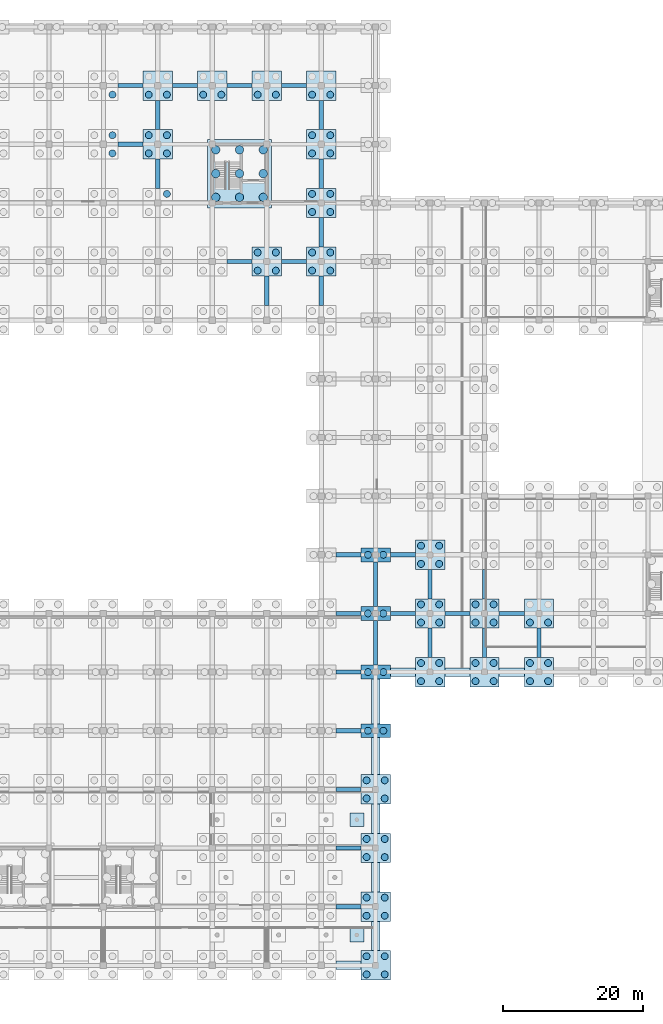
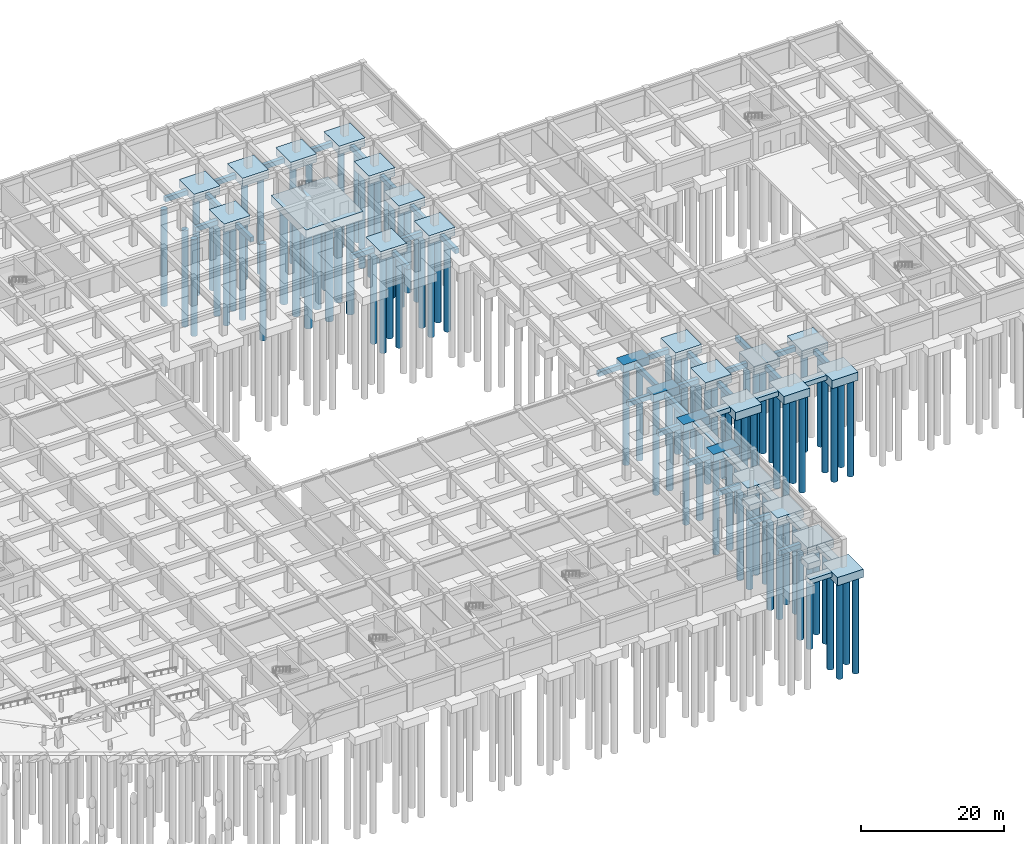
# One storey, part 8 of 31: 91 piles, 68 footings.
"""IFC4 building model written with IfcOpenShell, lengths in metres."""

from ifc_helpers import new_model, si_unit, direction, frame, origin, origin_2d, place, context, subcontext, project, spatial, rectangle, circle, extrude, material, material_profile, profile_set, type_object, element, save


model = new_model("IFC4")

# Units and contexts
model_context = context("Model", 3, precision=1e-05, world=origin(), true_north=direction((0.0, 1.0)))
body_context = subcontext(model_context, "Body", "Model", "MODEL_VIEW")
ifc_project = project(units=[si_unit("LENGTHUNIT", "METRE"), si_unit("AREAUNIT", "SQUARE_METRE"), si_unit("VOLUMEUNIT", "CUBIC_METRE"), si_unit("PLANEANGLEUNIT", "RADIAN"), si_unit("MASSUNIT", "GRAM", prefix="KILO")], contexts=[model_context])

# Site, building, storey
site_placement = place(None, origin())
site = spatial("IfcSite", under=ifc_project, at=site_placement, CompositionType="ELEMENT")
building_placement = place(site_placement, origin())
building = spatial("IfcBuilding", under=site, at=building_placement, Name="Zizhar Promenade General Hospital", CompositionType="ELEMENT")
storey_placement = place(building_placement, frame((0.0, 0.0, -4.800048828125)))
storey = spatial("IfcBuildingStorey", under=building, at=storey_placement, Name="B1", CompositionType="ELEMENT", Elevation=-4.800048828125)

# Footings
ifc_material_1 = material(Name="Concrete C30/37", Category="concrete")
footing_type_1 = type_object("IfcFootingType", Name="FTG-CAP2-4000", PredefinedType="PILE_CAP", material=ifc_material_1)
for number, where, z_axis, x_axis, name in (
    (1, (132.60009765625, 33.60009765625, -1.39990234375), (0.0, 0.0, 1.0), (1.0, 0.0, 0.0), "Pile Cap 18-E"),
    (2, (132.60009765625, 42.0, -1.39990234375), (0.0, 0.0, 1.0), (1.0, 0.0, 0.0), "Pile Cap 18-F"),
    (3, (132.60009765625, 50.39990234375, -1.39990234375), (0.0, 0.0, 1.0), (1.0, 0.0, 0.0), "Pile Cap 18-G"),
    (4, (132.60009765625, 58.800048828125, -1.39990234375), (0.0, 0.0, 1.0), (1.0, 0.0, 0.0), "Pile Cap 18-H"),
):
    element("IfcFooting", number, at=place(storey_placement, frame(where, z_axis=z_axis, x_axis=x_axis)), inside=storey, type_object=footing_type_1, Name=name, PredefinedType="PILE_CAP", context=body_context, shape_type="SweptSolid", body=[
        extrude(rectangle(XDim=4.199951171875, YDim=2.0, at=origin_2d()), origin(), (0.0, 0.0, 1.0), 1.39990234375),
    ])
ifc_material_2 = material(Name="Concrete C30/37", Category="concrete")
footing_type_2 = type_object("IfcFootingType", Name="FTG-CAP4-4200", PredefinedType="PILE_CAP", material=ifc_material_2)
for number, where, z_axis, x_axis, name in (
    (5, (101.39990234375, 117.60009765625, -1.39990234375), (0.0, 0.0, 1.0), (1.0, 0.0, 0.0), "Pile Cap 14-Q"),
    (6, (101.39990234375, 126.0, -1.39990234375), (0.0, 0.0, 1.0), (1.0, 0.0, 0.0), "Pile Cap 14-R"),
    (7, (109.199951171875, 126.0, -1.39990234375), (0.0, 0.0, 1.0), (1.0, 0.0, 0.0), "Pile Cap 15-R"),
    (8, (117.0, 100.800048828125, -1.39990234375), (0.0, 0.0, 1.0), (1.0, 0.0, 0.0), "Pile Cap 16-N"),
    (9, (117.0, 126.0, -1.39990234375), (0.0, 0.0, 1.0), (1.0, 0.0, 0.0), "Pile Cap 16-R"),
    (10, (124.800048828125, 100.800048828125, -1.39990234375), (0.0, 0.0, 1.0), (1.0, 0.0, 0.0), "Pile Cap 17-N"),
    (11, (124.800048828125, 109.199951171875, -1.39990234375), (0.0, 0.0, 1.0), (1.0, 0.0, 0.0), "Pile Cap 17-P"),
    (12, (124.800048828125, 117.60009765625, -1.39990234375), (0.0, 0.0, 1.0), (1.0, 0.0, 0.0), "Pile Cap 17-Q"),
    (13, (124.800048828125, 126.0, -1.39990234375), (0.0, 0.0, 1.0), (1.0, 0.0, 0.0), "Pile Cap 17-R"),
    (14, (132.60009765625, 0.0, -1.39990234375), (0.0, 0.0, 1.0), (1.0, 0.0, 0.0), "Pile Cap 18-A"),
    (15, (132.60009765625, 8.39990234375, -1.39990234375), (0.0, 0.0, 1.0), (1.0, 0.0, 0.0), "Pile Cap 18-B"),
    (16, (132.60009765625, 16.800048828125, -1.39990234375), (0.0, 0.0, 1.0), (1.0, 0.0, 0.0), "Pile Cap 18-C"),
    (17, (132.60009765625, 25.199951171875, -1.39990234375), (0.0, 0.0, 1.0), (1.0, 0.0, 0.0), "Pile Cap 18-D"),
    (18, (140.39990234375, 42.0, -1.39990234375), (0.0, 0.0, 1.0), (1.0, 0.0, 0.0), "Pile Cap 19-F"),
    (19, (140.39990234375, 50.39990234375, -1.39990234375), (0.0, 0.0, 1.0), (1.0, 0.0, 0.0), "Pile Cap 19-G"),
    (20, (140.39990234375, 58.800048828125, -1.39990234375), (0.0, 0.0, 1.0), (1.0, 0.0, 0.0), "Pile Cap 19-H"),
    (21, (148.199951171875, 42.0, -1.39990234375), (0.0, 0.0, 1.0), (1.0, 0.0, 0.0), "Pile Cap 20-F"),
    (22, (148.199951171875, 50.39990234375, -1.39990234375), (0.0, 0.0, 1.0), (1.0, 0.0, 0.0), "Pile Cap 20-G"),
    (23, (156.0, 42.0, -1.39990234375), (0.0, 0.0, 1.0), (1.0, 0.0, 0.0), "Pile Cap 21-F"),
    (24, (156.0, 50.39990234375, -1.39990234375), (0.0, 0.0, 1.0), (1.0, 0.0, 0.0), "Pile Cap 21-G"),
):
    element("IfcFooting", number, at=place(storey_placement, frame(where, z_axis=z_axis, x_axis=x_axis)), inside=storey, type_object=footing_type_2, Name=name, PredefinedType="PILE_CAP", context=body_context, shape_type="SweptSolid", body=[
        extrude(rectangle(XDim=4.199951171875, YDim=4.199951171875, at=origin_2d()), origin(), (0.0, 0.0, 1.0), 1.39990234375),
    ])
ifc_material_3 = material(Name="Concrete C30/37", Category="concrete")
footing_type_3 = type_object("IfcFootingType", Name="FTG-CORECAP-9200", PredefinedType="PILE_CAP", material=ifc_material_3)
footing_1_placement = place(storey_placement, frame((113.10009765625, 113.39990234375, -1.39990234375), z_axis=(0.0, 0.0, 1.0), x_axis=(1.0, 0.0, 0.0)))
element("IfcFooting", 25, at=footing_1_placement, inside=storey, type_object=footing_type_3, Name="Core C7 Pile Cap", PredefinedType="PILE_CAP", context=body_context, shape_type="SweptSolid", body=[
    extrude(rectangle(XDim=9.199951171875, YDim=9.800048828125, at=origin_2d()), origin(), (0.0, 0.0, 1.0), 1.39990234375),
])
ifc_material_4 = material(Name="Concrete C30/37", Category="concrete")
footing_type_4 = type_object("IfcFootingType", Name="FTG-PAD-2000", PredefinedType="PAD_FOOTING", material=ifc_material_4)
for number, where, z_axis, x_axis, name in (
    (26, (129.89990234375, 4.35009765625, -1.39990234375), (0.0, 0.0, 1.0), (1.0, 0.0, 0.0), "Terrace Support Pad Footing L06-E0"),
    (27, (129.89990234375, 20.85009765625, -1.39990234375), (0.0, 0.0, 1.0), (1.0, 0.0, 0.0), "Terrace Support Pad Footing L06-E1"),
):
    element("IfcFooting", number, at=place(storey_placement, frame(where, z_axis=z_axis, x_axis=x_axis)), inside=storey, type_object=footing_type_4, Name=name, PredefinedType="PAD_FOOTING", context=body_context, shape_type="SweptSolid", body=[
        extrude(rectangle(XDim=2.0, YDim=2.0, at=origin_2d()), origin(), (0.0, 0.0, 1.0), 1.0),
    ])
ifc_material_5 = material(Name="Concrete C30/37", Category="concrete")
ifc_material_profile_1 = material_profile(ifc_material_5, rectangle(XDim=1.199951171875, YDim=0.800048828125, at=origin_2d()))
ifc_profile_set_1 = profile_set([ifc_material_profile_1], Name="Concrete C30/37")
footing_type_5 = type_object("IfcFootingType", Name="FTG-STRIP-1200", PredefinedType="STRIP_FOOTING", material=ifc_profile_set_1)
footing_2_placement = place(storey_placement, frame((126.89990234375, 0.0, -0.39990234375), z_axis=(1.0, 0.0, 0.0), x_axis=(0.0, 1.0, 0.0)))
element("IfcFooting", 28, at=footing_2_placement, inside=storey, type_object=footing_type_5, Name="Basement Wall Strip Footing B01 (17)", PredefinedType="STRIP_FOOTING", context=body_context, shape_type="SweptSolid", body=[
    extrude(rectangle(XDim=1.199951171875, YDim=0.800048828125, at=origin_2d()), origin(), (0.0, 0.0, 1.0), 3.60009765625),
])
for number, where, z_axis, x_axis, name in (
    (29, (132.60009765625, 2.10009765625, -0.39990234375), (0.0, 1.0, 0.0), (-1.0, 0.0, 0.0), "Basement Wall Strip Footing B02"),
    (30, (132.60009765625, 10.5, -0.39990234375), (0.0, 1.0, 0.0), (-1.0, 0.0, 0.0), "Basement Wall Strip Footing B02 (2)"),
):
    element("IfcFooting", number, at=place(storey_placement, frame(where, z_axis=z_axis, x_axis=x_axis)), inside=storey, type_object=footing_type_5, Name=name, PredefinedType="STRIP_FOOTING", context=body_context, shape_type="SweptSolid", body=[
        extrude(rectangle(XDim=1.199951171875, YDim=0.800048828125, at=origin_2d()), origin(), (0.0, 0.0, 1.0), 4.199951171875),
    ])
footing_3_placement = place(storey_placement, frame((132.60009765625, 18.89990234375, -0.39990234375), z_axis=(0.0, 1.0, 0.0), x_axis=(-1.0, 0.0, 0.0)))
element("IfcFooting", 31, at=footing_3_placement, inside=storey, type_object=footing_type_5, Name="Basement Wall Strip Footing B02 (3)", PredefinedType="STRIP_FOOTING", context=body_context, shape_type="SweptSolid", body=[
    extrude(rectangle(XDim=1.199951171875, YDim=0.800048828125, at=origin_2d()), origin(), (0.0, 0.0, 1.0), 4.2001953125),
])
footing_4_placement = place(storey_placement, frame((132.60009765625, 27.300048828125, -0.39990234375), z_axis=(0.0, 1.0, 0.0), x_axis=(-1.0, 0.0, 0.0)))
element("IfcFooting", 32, at=footing_4_placement, inside=storey, type_object=footing_type_5, Name="Basement Wall Strip Footing B02 (4)", PredefinedType="STRIP_FOOTING", context=body_context, shape_type="SweptSolid", body=[
    extrude(rectangle(XDim=1.199951171875, YDim=0.800048828125, at=origin_2d()), origin(), (0.0, 0.0, 1.0), 5.300048828125),
])
footing_5_placement = place(storey_placement, frame((132.60009765625, 34.60009765625, -0.39990234375), z_axis=(0.0, 1.0, 0.0), x_axis=(-1.0, 0.0, 0.0)))
element("IfcFooting", 33, at=footing_5_placement, inside=storey, type_object=footing_type_5, Name="Basement Wall Strip Footing B02 (5)", PredefinedType="STRIP_FOOTING", context=body_context, shape_type="SweptSolid", body=[
    extrude(rectangle(XDim=1.199951171875, YDim=0.800048828125, at=origin_2d()), origin(), (0.0, 0.0, 1.0), 6.39990234375),
])
for number, where, z_axis, x_axis, name in (
    (34, (134.699951171875, 42.0, -0.39990234375), (1.0, 0.0, 0.0), (0.0, 1.0, 0.0), "Basement Wall Strip Footing B03"),
    (35, (142.5, 42.0, -0.39990234375), (1.0, 0.0, 0.0), (0.0, 1.0, 0.0), "Basement Wall Strip Footing B03 (2)"),
):
    element("IfcFooting", number, at=place(storey_placement, frame(where, z_axis=z_axis, x_axis=x_axis)), inside=storey, type_object=footing_type_5, Name=name, PredefinedType="STRIP_FOOTING", context=body_context, shape_type="SweptSolid", body=[
        extrude(rectangle(XDim=1.199951171875, YDim=0.800048828125, at=origin_2d()), origin(), (0.0, 0.0, 1.0), 3.60009765625),
    ])
footing_6_placement = place(storey_placement, frame((150.300048828125, 42.0, -0.39990234375), z_axis=(1.0, 0.0, 0.0), x_axis=(0.0, 1.0, 0.0)))
element("IfcFooting", 36, at=footing_6_placement, inside=storey, type_object=footing_type_5, Name="Basement Wall Strip Footing B03 (3)", PredefinedType="STRIP_FOOTING", context=body_context, shape_type="SweptSolid", body=[
    extrude(rectangle(XDim=1.199951171875, YDim=0.800048828125, at=origin_2d()), origin(), (0.0, 0.0, 1.0), 3.599853515625),
])
ifc_material_6 = material(Name="Concrete C30/37", Category="concrete")
ifc_material_profile_2 = material_profile(ifc_material_6, rectangle(XDim=0.60009765625, YDim=0.800048828125, at=origin_2d()))
ifc_profile_set_2 = profile_set([ifc_material_profile_2], Name="Concrete C30/37")
footing_type_6 = type_object("IfcFootingType", Name="FTG-TIE-600x800", PredefinedType="FOOTING_BEAM", material=ifc_profile_set_2)
for number, where, z_axis, x_axis, name in (
    (37, (95.699951171875, 117.60009765625, -0.800048828125), (1.0, 0.0, 0.0), (0.0, 1.0, 0.0), "Seismic Ground Tie Beam X-12-14"),
    (38, (95.699951171875, 126.0, -0.800048828125), (1.0, 0.0, 0.0), (0.0, 1.0, 0.0), "Seismic Ground Tie Beam X-12-15"),
):
    element("IfcFooting", number, at=place(storey_placement, frame(where, z_axis=z_axis, x_axis=x_axis)), inside=storey, type_object=footing_type_6, Name=name, PredefinedType="FOOTING_BEAM", context=body_context, shape_type="SweptSolid", body=[
        extrude(rectangle(XDim=0.60009765625, YDim=0.800048828125, at=origin_2d()), origin(), (0.0, 0.0, 1.0), 3.60009765625),
    ])
for number, where, z_axis, x_axis, name in (
    (39, (101.39990234375, 111.300048828125, -0.800048828125), (0.0, 1.0, 0.0), (-1.0, 0.0, 0.0), "Seismic Ground Tie Beam Y-13-13"),
    (40, (101.39990234375, 119.699951171875, -0.800048828125), (0.0, 1.0, 0.0), (-1.0, 0.0, 0.0), "Seismic Ground Tie Beam Y-13-14"),
):
    element("IfcFooting", number, at=place(storey_placement, frame(where, z_axis=z_axis, x_axis=x_axis)), inside=storey, type_object=footing_type_6, Name=name, PredefinedType="FOOTING_BEAM", context=body_context, shape_type="SweptSolid", body=[
        extrude(rectangle(XDim=0.60009765625, YDim=0.800048828125, at=origin_2d()), origin(), (0.0, 0.0, 1.0), 4.199951171875),
    ])
footing_7_placement = place(storey_placement, frame((103.5, 126.0, -0.800048828125), z_axis=(1.0, 0.0, 0.0), x_axis=(0.0, 1.0, 0.0)))
element("IfcFooting", 41, at=footing_7_placement, inside=storey, type_object=footing_type_6, Name="Seismic Ground Tie Beam X-13-15", PredefinedType="FOOTING_BEAM", context=body_context, shape_type="SweptSolid", body=[
    extrude(rectangle(XDim=0.60009765625, YDim=0.800048828125, at=origin_2d()), origin(), (0.0, 0.0, 1.0), 3.60009765625),
])
for number, where, z_axis, x_axis, name in (
    (42, (111.300048828125, 100.800048828125, -0.800048828125), (1.0, 0.0, 0.0), (0.0, 1.0, 0.0), "Seismic Ground Tie Beam X-14-12"),
    (43, (111.300048828125, 126.0, -0.800048828125), (1.0, 0.0, 0.0), (0.0, 1.0, 0.0), "Seismic Ground Tie Beam X-14-15"),
):
    element("IfcFooting", number, at=place(storey_placement, frame(where, z_axis=z_axis, x_axis=x_axis)), inside=storey, type_object=footing_type_6, Name=name, PredefinedType="FOOTING_BEAM", context=body_context, shape_type="SweptSolid", body=[
        extrude(rectangle(XDim=0.60009765625, YDim=0.800048828125, at=origin_2d()), origin(), (0.0, 0.0, 1.0), 3.599853515625),
    ])
footing_8_placement = place(storey_placement, frame((117.0, 94.5, -0.800048828125), z_axis=(0.0, 1.0, 0.0), x_axis=(-1.0, 0.0, 0.0)))
element("IfcFooting", 44, at=footing_8_placement, inside=storey, type_object=footing_type_6, Name="Seismic Ground Tie Beam Y-15-11", PredefinedType="FOOTING_BEAM", context=body_context, shape_type="SweptSolid", body=[
    extrude(rectangle(XDim=0.60009765625, YDim=0.800048828125, at=origin_2d()), origin(), (0.0, 0.0, 1.0), 4.199951171875),
])
for number, where, z_axis, x_axis, name in (
    (45, (119.10009765625, 100.800048828125, -0.800048828125), (1.0, 0.0, 0.0), (0.0, 1.0, 0.0), "Seismic Ground Tie Beam X-15-12"),
    (46, (119.10009765625, 126.0, -0.800048828125), (1.0, 0.0, 0.0), (0.0, 1.0, 0.0), "Seismic Ground Tie Beam X-15-15"),
):
    element("IfcFooting", number, at=place(storey_placement, frame(where, z_axis=z_axis, x_axis=x_axis)), inside=storey, type_object=footing_type_6, Name=name, PredefinedType="FOOTING_BEAM", context=body_context, shape_type="SweptSolid", body=[
        extrude(rectangle(XDim=0.60009765625, YDim=0.800048828125, at=origin_2d()), origin(), (0.0, 0.0, 1.0), 3.599853515625),
    ])
for number, where, z_axis, x_axis, name in (
    (47, (126.89990234375, 8.39990234375, -0.800048828125), (1.0, 0.0, 0.0), (0.0, 1.0, 0.0), "Seismic Ground Tie Beam X-16-1"),
    (48, (126.89990234375, 16.800048828125, -0.800048828125), (1.0, 0.0, 0.0), (0.0, 1.0, 0.0), "Seismic Ground Tie Beam X-16-2"),
    (49, (126.89990234375, 25.199951171875, -0.800048828125), (1.0, 0.0, 0.0), (0.0, 1.0, 0.0), "Seismic Ground Tie Beam X-16-3"),
    (50, (126.89990234375, 33.60009765625, -0.800048828125), (1.0, 0.0, 0.0), (0.0, 1.0, 0.0), "Seismic Ground Tie Beam X-16-4"),
    (51, (126.89990234375, 42.0, -0.800048828125), (1.0, 0.0, 0.0), (0.0, 1.0, 0.0), "Seismic Ground Tie Beam X-16-5"),
    (52, (126.89990234375, 50.39990234375, -0.800048828125), (1.0, 0.0, 0.0), (0.0, 1.0, 0.0), "Seismic Ground Tie Beam X-16-6"),
    (53, (126.89990234375, 58.800048828125, -0.800048828125), (1.0, 0.0, 0.0), (0.0, 1.0, 0.0), "Seismic Ground Tie Beam X-16-7"),
):
    element("IfcFooting", number, at=place(storey_placement, frame(where, z_axis=z_axis, x_axis=x_axis)), inside=storey, type_object=footing_type_6, Name=name, PredefinedType="FOOTING_BEAM", context=body_context, shape_type="SweptSolid", body=[
        extrude(rectangle(XDim=0.60009765625, YDim=0.800048828125, at=origin_2d()), origin(), (0.0, 0.0, 1.0), 3.60009765625),
    ])
footing_9_placement = place(storey_placement, frame((124.800048828125, 94.5, -0.800048828125), z_axis=(0.0, 1.0, 0.0), x_axis=(-1.0, 0.0, 0.0)))
element("IfcFooting", 54, at=footing_9_placement, inside=storey, type_object=footing_type_6, Name="Seismic Ground Tie Beam Y-16-11", PredefinedType="FOOTING_BEAM", context=body_context, shape_type="SweptSolid", body=[
    extrude(rectangle(XDim=0.60009765625, YDim=0.800048828125, at=origin_2d()), origin(), (0.0, 0.0, 1.0), 4.199951171875),
])
footing_10_placement = place(storey_placement, frame((124.800048828125, 102.89990234375, -0.800048828125), z_axis=(0.0, 1.0, 0.0), x_axis=(-1.0, 0.0, 0.0)))
element("IfcFooting", 55, at=footing_10_placement, inside=storey, type_object=footing_type_6, Name="Seismic Ground Tie Beam Y-16-12", PredefinedType="FOOTING_BEAM", context=body_context, shape_type="SweptSolid", body=[
    extrude(rectangle(XDim=0.60009765625, YDim=0.800048828125, at=origin_2d()), origin(), (0.0, 0.0, 1.0), 4.2001953125),
])
for number, where, z_axis, x_axis, name in (
    (56, (124.800048828125, 111.300048828125, -0.800048828125), (0.0, 1.0, 0.0), (-1.0, 0.0, 0.0), "Seismic Ground Tie Beam Y-16-13"),
    (57, (124.800048828125, 119.699951171875, -0.800048828125), (0.0, 1.0, 0.0), (-1.0, 0.0, 0.0), "Seismic Ground Tie Beam Y-16-14"),
):
    element("IfcFooting", number, at=place(storey_placement, frame(where, z_axis=z_axis, x_axis=x_axis)), inside=storey, type_object=footing_type_6, Name=name, PredefinedType="FOOTING_BEAM", context=body_context, shape_type="SweptSolid", body=[
        extrude(rectangle(XDim=0.60009765625, YDim=0.800048828125, at=origin_2d()), origin(), (0.0, 0.0, 1.0), 4.199951171875),
    ])
footing_11_placement = place(storey_placement, frame((132.60009765625, 43.0, -0.800048828125), z_axis=(0.0, 1.0, 0.0), x_axis=(-1.0, 0.0, 0.0)))
element("IfcFooting", 58, at=footing_11_placement, inside=storey, type_object=footing_type_6, Name="Seismic Ground Tie Beam Y-17-5", PredefinedType="FOOTING_BEAM", context=body_context, shape_type="SweptSolid", body=[
    extrude(rectangle(XDim=0.60009765625, YDim=0.800048828125, at=origin_2d()), origin(), (0.0, 0.0, 1.0), 6.39990234375),
])
footing_12_placement = place(storey_placement, frame((134.699951171875, 50.39990234375, -0.800048828125), z_axis=(1.0, 0.0, 0.0), x_axis=(0.0, 1.0, 0.0)))
element("IfcFooting", 59, at=footing_12_placement, inside=storey, type_object=footing_type_6, Name="Seismic Ground Tie Beam X-17-6", PredefinedType="FOOTING_BEAM", context=body_context, shape_type="SweptSolid", body=[
    extrude(rectangle(XDim=0.60009765625, YDim=0.800048828125, at=origin_2d()), origin(), (0.0, 0.0, 1.0), 3.60009765625),
])
footing_13_placement = place(storey_placement, frame((132.60009765625, 51.39990234375, -0.800048828125), z_axis=(0.0, 1.0, 0.0), x_axis=(-1.0, 0.0, 0.0)))
element("IfcFooting", 60, at=footing_13_placement, inside=storey, type_object=footing_type_6, Name="Seismic Ground Tie Beam Y-17-6", PredefinedType="FOOTING_BEAM", context=body_context, shape_type="SweptSolid", body=[
    extrude(rectangle(XDim=0.60009765625, YDim=0.800048828125, at=origin_2d()), origin(), (0.0, 0.0, 1.0), 6.400146484375),
])
footing_14_placement = place(storey_placement, frame((134.699951171875, 58.800048828125, -0.800048828125), z_axis=(1.0, 0.0, 0.0), x_axis=(0.0, 1.0, 0.0)))
element("IfcFooting", 61, at=footing_14_placement, inside=storey, type_object=footing_type_6, Name="Seismic Ground Tie Beam X-17-7", PredefinedType="FOOTING_BEAM", context=body_context, shape_type="SweptSolid", body=[
    extrude(rectangle(XDim=0.60009765625, YDim=0.800048828125, at=origin_2d()), origin(), (0.0, 0.0, 1.0), 3.60009765625),
])
footing_15_placement = place(storey_placement, frame((140.39990234375, 44.10009765625, -0.800048828125), z_axis=(0.0, 1.0, 0.0), x_axis=(-1.0, 0.0, 0.0)))
element("IfcFooting", 62, at=footing_15_placement, inside=storey, type_object=footing_type_6, Name="Seismic Ground Tie Beam Y-18-5", PredefinedType="FOOTING_BEAM", context=body_context, shape_type="SweptSolid", body=[
    extrude(rectangle(XDim=0.60009765625, YDim=0.800048828125, at=origin_2d()), origin(), (0.0, 0.0, 1.0), 4.199951171875),
])
footing_16_placement = place(storey_placement, frame((142.5, 50.39990234375, -0.800048828125), z_axis=(1.0, 0.0, 0.0), x_axis=(0.0, 1.0, 0.0)))
element("IfcFooting", 63, at=footing_16_placement, inside=storey, type_object=footing_type_6, Name="Seismic Ground Tie Beam X-18-6", PredefinedType="FOOTING_BEAM", context=body_context, shape_type="SweptSolid", body=[
    extrude(rectangle(XDim=0.60009765625, YDim=0.800048828125, at=origin_2d()), origin(), (0.0, 0.0, 1.0), 3.60009765625),
])
for number, where, z_axis, x_axis, name in (
    (64, (140.39990234375, 52.5, -0.800048828125), (0.0, 1.0, 0.0), (-1.0, 0.0, 0.0), "Seismic Ground Tie Beam Y-18-6"),
    (65, (148.199951171875, 44.10009765625, -0.800048828125), (0.0, 1.0, 0.0), (-1.0, 0.0, 0.0), "Seismic Ground Tie Beam Y-19-5"),
):
    element("IfcFooting", number, at=place(storey_placement, frame(where, z_axis=z_axis, x_axis=x_axis)), inside=storey, type_object=footing_type_6, Name=name, PredefinedType="FOOTING_BEAM", context=body_context, shape_type="SweptSolid", body=[
        extrude(rectangle(XDim=0.60009765625, YDim=0.800048828125, at=origin_2d()), origin(), (0.0, 0.0, 1.0), 4.199951171875),
    ])
footing_17_placement = place(storey_placement, frame((150.300048828125, 50.39990234375, -0.800048828125), z_axis=(1.0, 0.0, 0.0), x_axis=(0.0, 1.0, 0.0)))
element("IfcFooting", 66, at=footing_17_placement, inside=storey, type_object=footing_type_6, Name="Seismic Ground Tie Beam X-19-6", PredefinedType="FOOTING_BEAM", context=body_context, shape_type="SweptSolid", body=[
    extrude(rectangle(XDim=0.60009765625, YDim=0.800048828125, at=origin_2d()), origin(), (0.0, 0.0, 1.0), 3.599853515625),
])
for number, where, z_axis, x_axis, name in (
    (67, (148.199951171875, 52.5, -0.800048828125), (0.0, 1.0, 0.0), (-1.0, 0.0, 0.0), "Seismic Ground Tie Beam Y-19-6"),
    (68, (156.0, 44.10009765625, -0.800048828125), (0.0, 1.0, 0.0), (-1.0, 0.0, 0.0), "Seismic Ground Tie Beam Y-20-5"),
):
    element("IfcFooting", number, at=place(storey_placement, frame(where, z_axis=z_axis, x_axis=x_axis)), inside=storey, type_object=footing_type_6, Name=name, PredefinedType="FOOTING_BEAM", context=body_context, shape_type="SweptSolid", body=[
        extrude(rectangle(XDim=0.60009765625, YDim=0.800048828125, at=origin_2d()), origin(), (0.0, 0.0, 1.0), 4.199951171875),
    ])

# Piles
ifc_material_7 = material(Name="Concrete C30/37", Category="concrete")
ifc_material_profile_3 = material_profile(ifc_material_7, circle(Radius=0.5, at=origin_2d()))
ifc_profile_set_3 = profile_set([ifc_material_profile_3], Name="Concrete C30/37")
pile_type_1 = type_object("IfcPileType", Name="PIL-BORED-1000", PredefinedType="BORED", material=ifc_profile_set_3)
for number, where, z_axis, x_axis, name in (
    (69, (94.89990234375, 116.300048828125, -1.300048828125), (0.0, 0.0, -1.0), (1.0, 0.0, 0.0), "Bored Pile 13-Q-3"),
    (70, (94.89990234375, 118.89990234375, -1.300048828125), (0.0, 0.0, -1.0), (1.0, 0.0, 0.0), "Bored Pile 13-Q-4"),
    (71, (94.89990234375, 124.699951171875, -1.300048828125), (0.0, 0.0, -1.0), (1.0, 0.0, 0.0), "Bored Pile 13-R-3"),
    (72, (102.699951171875, 110.5, -1.300048828125), (0.0, 0.0, -1.0), (1.0, 0.0, 0.0), "Bored Pile 14-P-4"),
    (73, (100.10009765625, 116.300048828125, -1.300048828125), (0.0, 0.0, -1.0), (1.0, 0.0, 0.0), "Bored Pile 14-Q-1"),
    (74, (100.10009765625, 118.89990234375, -1.300048828125), (0.0, 0.0, -1.0), (1.0, 0.0, 0.0), "Bored Pile 14-Q-2"),
    (75, (102.699951171875, 116.300048828125, -1.300048828125), (0.0, 0.0, -1.0), (1.0, 0.0, 0.0), "Bored Pile 14-Q-3"),
    (76, (102.699951171875, 118.89990234375, -1.300048828125), (0.0, 0.0, -1.0), (1.0, 0.0, 0.0), "Bored Pile 14-Q-4"),
    (77, (100.10009765625, 124.699951171875, -1.300048828125), (0.0, 0.0, -1.0), (1.0, 0.0, 0.0), "Bored Pile 14-R-1"),
    (78, (102.699951171875, 124.699951171875, -1.300048828125), (0.0, 0.0, -1.0), (1.0, 0.0, 0.0), "Bored Pile 14-R-3"),
    (79, (107.89990234375, 124.699951171875, -1.300048828125), (0.0, 0.0, -1.0), (1.0, 0.0, 0.0), "Bored Pile 15-R-1"),
    (80, (110.5, 124.699951171875, -1.300048828125), (0.0, 0.0, -1.0), (1.0, 0.0, 0.0), "Bored Pile 15-R-3"),
    (81, (115.699951171875, 99.5, -1.300048828125), (0.0, 0.0, -1.0), (1.0, 0.0, 0.0), "Bored Pile 16-N-1"),
    (82, (115.699951171875, 102.10009765625, -1.300048828125), (0.0, 0.0, -1.0), (1.0, 0.0, 0.0), "Bored Pile 16-N-2"),
    (83, (118.300048828125, 99.5, -1.300048828125), (0.0, 0.0, -1.0), (1.0, 0.0, 0.0), "Bored Pile 16-N-3"),
    (84, (118.300048828125, 102.10009765625, -1.300048828125), (0.0, 0.0, -1.0), (1.0, 0.0, 0.0), "Bored Pile 16-N-4"),
    (85, (115.699951171875, 124.699951171875, -1.300048828125), (0.0, 0.0, -1.0), (1.0, 0.0, 0.0), "Bored Pile 16-R-1"),
    (86, (118.300048828125, 124.699951171875, -1.300048828125), (0.0, 0.0, -1.0), (1.0, 0.0, 0.0), "Bored Pile 16-R-3"),
    (87, (123.5, 99.5, -1.300048828125), (0.0, 0.0, -1.0), (1.0, 0.0, 0.0), "Bored Pile 17-N-1"),
    (88, (123.5, 102.10009765625, -1.300048828125), (0.0, 0.0, -1.0), (1.0, 0.0, 0.0), "Bored Pile 17-N-2"),
    (89, (126.10009765625, 99.5, -1.300048828125), (0.0, 0.0, -1.0), (1.0, 0.0, 0.0), "Bored Pile 17-N-3"),
    (90, (126.10009765625, 102.10009765625, -1.300048828125), (0.0, 0.0, -1.0), (1.0, 0.0, 0.0), "Bored Pile 17-N-4"),
    (91, (123.5, 107.89990234375, -1.300048828125), (0.0, 0.0, -1.0), (1.0, 0.0, 0.0), "Bored Pile 17-P-1"),
    (92, (123.5, 110.5, -1.300048828125), (0.0, 0.0, -1.0), (1.0, 0.0, 0.0), "Bored Pile 17-P-2"),
    (93, (126.10009765625, 107.89990234375, -1.300048828125), (0.0, 0.0, -1.0), (1.0, 0.0, 0.0), "Bored Pile 17-P-3"),
    (94, (126.10009765625, 110.5, -1.300048828125), (0.0, 0.0, -1.0), (1.0, 0.0, 0.0), "Bored Pile 17-P-4"),
    (95, (123.5, 116.300048828125, -1.300048828125), (0.0, 0.0, -1.0), (1.0, 0.0, 0.0), "Bored Pile 17-Q-1"),
    (96, (123.5, 118.89990234375, -1.300048828125), (0.0, 0.0, -1.0), (1.0, 0.0, 0.0), "Bored Pile 17-Q-2"),
    (97, (126.10009765625, 116.300048828125, -1.300048828125), (0.0, 0.0, -1.0), (1.0, 0.0, 0.0), "Bored Pile 17-Q-3"),
    (98, (126.10009765625, 118.89990234375, -1.300048828125), (0.0, 0.0, -1.0), (1.0, 0.0, 0.0), "Bored Pile 17-Q-4"),
    (99, (123.5, 124.699951171875, -1.300048828125), (0.0, 0.0, -1.0), (1.0, 0.0, 0.0), "Bored Pile 17-R-1"),
    (100, (126.10009765625, 124.699951171875, -1.300048828125), (0.0, 0.0, -1.0), (1.0, 0.0, 0.0), "Bored Pile 17-R-3"),
    (101, (131.300048828125, -1.300048828125, -1.300048828125), (0.0, 0.0, -1.0), (1.0, 0.0, 0.0), "Bored Pile 18-A-1"),
    (102, (131.300048828125, 1.300048828125, -1.300048828125), (0.0, 0.0, -1.0), (1.0, 0.0, 0.0), "Bored Pile 18-A-2"),
    (103, (133.89990234375, -1.300048828125, -1.300048828125), (0.0, 0.0, -1.0), (1.0, 0.0, 0.0), "Bored Pile 18-A-3"),
    (104, (133.89990234375, 1.300048828125, -1.300048828125), (0.0, 0.0, -1.0), (1.0, 0.0, 0.0), "Bored Pile 18-A-4"),
    (105, (131.300048828125, 7.10009765625, -1.300048828125), (0.0, 0.0, -1.0), (1.0, 0.0, 0.0), "Bored Pile 18-B-1"),
    (106, (131.300048828125, 9.699951171875, -1.300048828125), (0.0, 0.0, -1.0), (1.0, 0.0, 0.0), "Bored Pile 18-B-2"),
    (107, (133.89990234375, 7.10009765625, -1.300048828125), (0.0, 0.0, -1.0), (1.0, 0.0, 0.0), "Bored Pile 18-B-3"),
    (108, (133.89990234375, 9.699951171875, -1.300048828125), (0.0, 0.0, -1.0), (1.0, 0.0, 0.0), "Bored Pile 18-B-4"),
    (109, (131.300048828125, 15.5, -1.300048828125), (0.0, 0.0, -1.0), (1.0, 0.0, 0.0), "Bored Pile 18-C-1"),
    (110, (131.300048828125, 18.10009765625, -1.300048828125), (0.0, 0.0, -1.0), (1.0, 0.0, 0.0), "Bored Pile 18-C-2"),
    (111, (133.89990234375, 15.5, -1.300048828125), (0.0, 0.0, -1.0), (1.0, 0.0, 0.0), "Bored Pile 18-C-3"),
    (112, (133.89990234375, 18.10009765625, -1.300048828125), (0.0, 0.0, -1.0), (1.0, 0.0, 0.0), "Bored Pile 18-C-4"),
    (113, (131.300048828125, 23.89990234375, -1.300048828125), (0.0, 0.0, -1.0), (1.0, 0.0, 0.0), "Bored Pile 18-D-1"),
    (114, (131.300048828125, 26.5, -1.300048828125), (0.0, 0.0, -1.0), (1.0, 0.0, 0.0), "Bored Pile 18-D-2"),
    (115, (133.89990234375, 23.89990234375, -1.300048828125), (0.0, 0.0, -1.0), (1.0, 0.0, 0.0), "Bored Pile 18-D-3"),
    (116, (133.89990234375, 26.5, -1.300048828125), (0.0, 0.0, -1.0), (1.0, 0.0, 0.0), "Bored Pile 18-D-4"),
    (117, (131.5, 33.60009765625, -1.300048828125), (0.0, 0.0, -1.0), (1.0, 0.0, 0.0), "Bored Pile 18-E-1"),
    (118, (133.699951171875, 33.60009765625, -1.300048828125), (0.0, 0.0, -1.0), (1.0, 0.0, 0.0), "Bored Pile 18-E-2"),
    (119, (131.5, 42.0, -1.300048828125), (0.0, 0.0, -1.0), (1.0, 0.0, 0.0), "Bored Pile 18-F-1"),
    (120, (133.699951171875, 42.0, -1.300048828125), (0.0, 0.0, -1.0), (1.0, 0.0, 0.0), "Bored Pile 18-F-2"),
    (121, (131.5, 50.39990234375, -1.300048828125), (0.0, 0.0, -1.0), (1.0, 0.0, 0.0), "Bored Pile 18-G-1"),
    (122, (133.699951171875, 50.39990234375, -1.300048828125), (0.0, 0.0, -1.0), (1.0, 0.0, 0.0), "Bored Pile 18-G-2"),
    (123, (131.5, 58.800048828125, -1.300048828125), (0.0, 0.0, -1.0), (1.0, 0.0, 0.0), "Bored Pile 18-H-1"),
    (124, (133.699951171875, 58.800048828125, -1.300048828125), (0.0, 0.0, -1.0), (1.0, 0.0, 0.0), "Bored Pile 18-H-2"),
    (125, (139.10009765625, 40.699951171875, -1.300048828125), (0.0, 0.0, -1.0), (1.0, 0.0, 0.0), "Bored Pile 19-F-1"),
    (126, (139.10009765625, 43.300048828125, -1.300048828125), (0.0, 0.0, -1.0), (1.0, 0.0, 0.0), "Bored Pile 19-F-2"),
    (127, (141.699951171875, 40.699951171875, -1.300048828125), (0.0, 0.0, -1.0), (1.0, 0.0, 0.0), "Bored Pile 19-F-3"),
    (128, (141.699951171875, 43.300048828125, -1.300048828125), (0.0, 0.0, -1.0), (1.0, 0.0, 0.0), "Bored Pile 19-F-4"),
    (129, (139.10009765625, 49.10009765625, -1.300048828125), (0.0, 0.0, -1.0), (1.0, 0.0, 0.0), "Bored Pile 19-G-1"),
    (130, (139.10009765625, 51.699951171875, -1.300048828125), (0.0, 0.0, -1.0), (1.0, 0.0, 0.0), "Bored Pile 19-G-2"),
    (131, (141.699951171875, 49.10009765625, -1.300048828125), (0.0, 0.0, -1.0), (1.0, 0.0, 0.0), "Bored Pile 19-G-3"),
    (132, (141.699951171875, 51.699951171875, -1.300048828125), (0.0, 0.0, -1.0), (1.0, 0.0, 0.0), "Bored Pile 19-G-4"),
    (133, (139.10009765625, 57.5, -1.300048828125), (0.0, 0.0, -1.0), (1.0, 0.0, 0.0), "Bored Pile 19-H-1"),
    (134, (139.10009765625, 60.10009765625, -1.300048828125), (0.0, 0.0, -1.0), (1.0, 0.0, 0.0), "Bored Pile 19-H-2"),
    (135, (141.699951171875, 57.5, -1.300048828125), (0.0, 0.0, -1.0), (1.0, 0.0, 0.0), "Bored Pile 19-H-3"),
    (136, (141.699951171875, 60.10009765625, -1.300048828125), (0.0, 0.0, -1.0), (1.0, 0.0, 0.0), "Bored Pile 19-H-4"),
    (137, (146.89990234375, 40.699951171875, -1.300048828125), (0.0, 0.0, -1.0), (1.0, 0.0, 0.0), "Bored Pile 20-F-1"),
    (138, (146.89990234375, 43.300048828125, -1.300048828125), (0.0, 0.0, -1.0), (1.0, 0.0, 0.0), "Bored Pile 20-F-2"),
    (139, (149.5, 40.699951171875, -1.300048828125), (0.0, 0.0, -1.0), (1.0, 0.0, 0.0), "Bored Pile 20-F-3"),
    (140, (149.5, 43.300048828125, -1.300048828125), (0.0, 0.0, -1.0), (1.0, 0.0, 0.0), "Bored Pile 20-F-4"),
    (141, (146.89990234375, 49.10009765625, -1.300048828125), (0.0, 0.0, -1.0), (1.0, 0.0, 0.0), "Bored Pile 20-G-1"),
    (142, (146.89990234375, 51.699951171875, -1.300048828125), (0.0, 0.0, -1.0), (1.0, 0.0, 0.0), "Bored Pile 20-G-2"),
    (143, (149.5, 49.10009765625, -1.300048828125), (0.0, 0.0, -1.0), (1.0, 0.0, 0.0), "Bored Pile 20-G-3"),
    (144, (149.5, 51.699951171875, -1.300048828125), (0.0, 0.0, -1.0), (1.0, 0.0, 0.0), "Bored Pile 20-G-4"),
    (145, (154.699951171875, 40.699951171875, -1.300048828125), (0.0, 0.0, -1.0), (1.0, 0.0, 0.0), "Bored Pile 21-F-1"),
    (146, (154.699951171875, 43.300048828125, -1.300048828125), (0.0, 0.0, -1.0), (1.0, 0.0, 0.0), "Bored Pile 21-F-2"),
    (147, (157.300048828125, 40.699951171875, -1.300048828125), (0.0, 0.0, -1.0), (1.0, 0.0, 0.0), "Bored Pile 21-F-3"),
    (148, (157.300048828125, 43.300048828125, -1.300048828125), (0.0, 0.0, -1.0), (1.0, 0.0, 0.0), "Bored Pile 21-F-4"),
    (149, (154.699951171875, 49.10009765625, -1.300048828125), (0.0, 0.0, -1.0), (1.0, 0.0, 0.0), "Bored Pile 21-G-1"),
    (150, (157.300048828125, 49.10009765625, -1.300048828125), (0.0, 0.0, -1.0), (1.0, 0.0, 0.0), "Bored Pile 21-G-3"),
):
    element("IfcPile", number, at=place(storey_placement, frame(where, z_axis=z_axis, x_axis=x_axis)), inside=storey, type_object=pile_type_1, Name=name, PredefinedType="BORED", context=body_context, shape_type="SweptSolid", body=[
        extrude(circle(Radius=0.5, at=origin_2d()), origin(), (0.0, 0.0, 1.0), 16.5),
    ])
ifc_material_8 = material(Name="Concrete C30/37", Category="concrete")
ifc_material_profile_4 = material_profile(ifc_material_8, circle(Radius=0.60009765625, at=origin_2d()))
ifc_profile_set_4 = profile_set([ifc_material_profile_4], Name="Concrete C30/37")
pile_type_2 = type_object("IfcPileType", Name="PIL-BORED-1200", PredefinedType="BORED", material=ifc_profile_set_4)
for number, where, z_axis, x_axis, name in (
    (151, (109.699951171875, 110.0, -1.300048828125), (0.0, 0.0, -1.0), (1.0, 0.0, 0.0), "Core C7 Bored Pile 01"),
    (152, (109.699951171875, 113.39990234375, -1.300048828125), (0.0, 0.0, -1.0), (1.0, 0.0, 0.0), "Core C7 Bored Pile 02"),
    (153, (109.699951171875, 116.800048828125, -1.300048828125), (0.0, 0.0, -1.0), (1.0, 0.0, 0.0), "Core C7 Bored Pile 03"),
    (154, (113.10009765625, 110.0, -1.300048828125), (0.0, 0.0, -1.0), (1.0, 0.0, 0.0), "Core C7 Bored Pile 04"),
    (155, (113.10009765625, 113.39990234375, -1.300048828125), (0.0, 0.0, -1.0), (1.0, 0.0, 0.0), "Core C7 Bored Pile 05"),
    (156, (113.10009765625, 116.800048828125, -1.300048828125), (0.0, 0.0, -1.0), (1.0, 0.0, 0.0), "Core C7 Bored Pile 06"),
    (157, (116.5, 110.0, -1.300048828125), (0.0, 0.0, -1.0), (1.0, 0.0, 0.0), "Core C7 Bored Pile 07"),
    (158, (116.5, 113.39990234375, -1.300048828125), (0.0, 0.0, -1.0), (1.0, 0.0, 0.0), "Core C7 Bored Pile 08"),
    (159, (116.5, 116.800048828125, -1.300048828125), (0.0, 0.0, -1.0), (1.0, 0.0, 0.0), "Core C7 Bored Pile 09"),
):
    element("IfcPile", number, at=place(storey_placement, frame(where, z_axis=z_axis, x_axis=x_axis)), inside=storey, type_object=pile_type_2, Name=name, PredefinedType="BORED", context=body_context, shape_type="SweptSolid", body=[
        extrude(circle(Radius=0.60009765625, at=origin_2d()), origin(), (0.0, 0.0, 1.0), 16.5),
    ])

save(model, "model.ifc")
